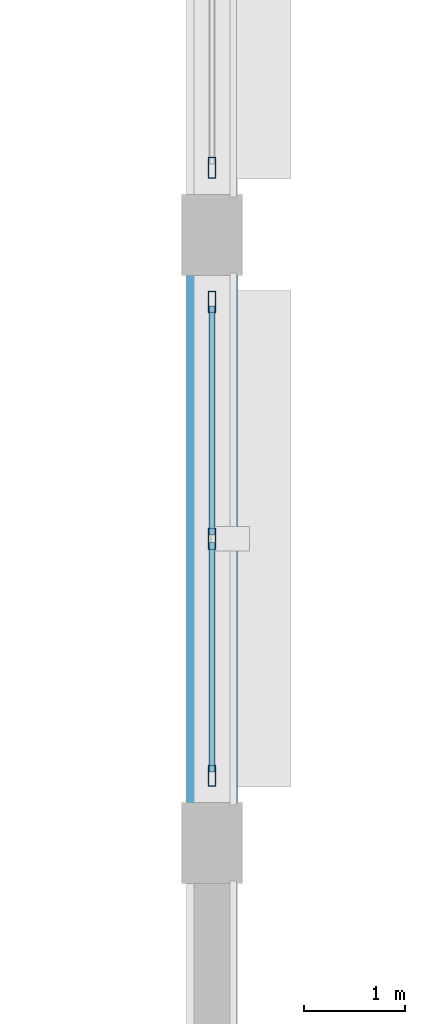
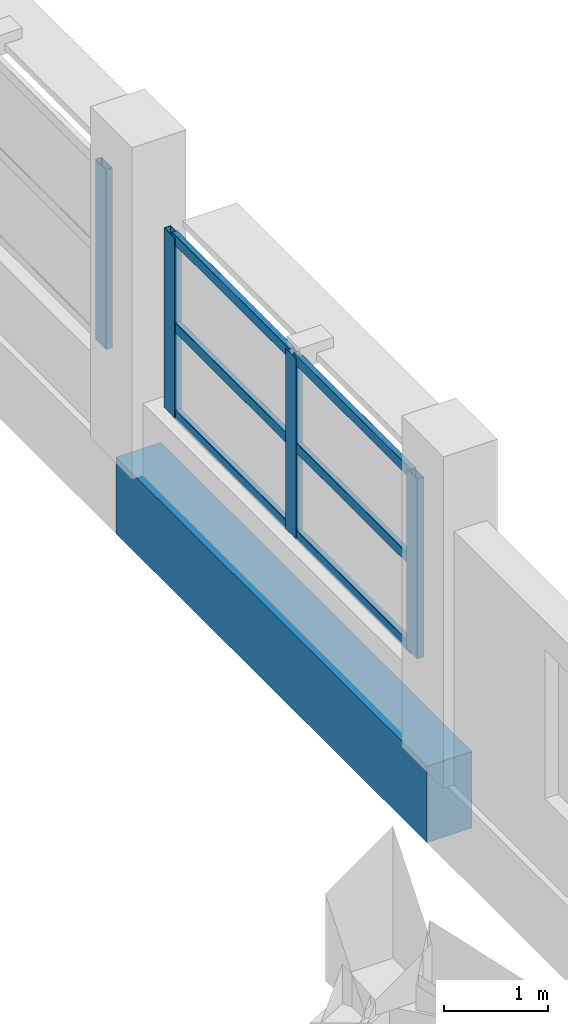
# One storey, part 7 of 121: 10 members, 1 beam, 2 elements without a shape of their own.
"""IFC4 building model written with IfcOpenShell, lengths in metres."""

from ifc_helpers import new_model, si_unit, direction, frame, origin, origin_2d, place, context, subcontext, project, spatial, rectangle, hollow_rectangle, extrude, material, layer, layer_set, material_profile, profile_set, type_object, element, aggregate, save


model = new_model("IFC4")

# Units and contexts
model_context = context("Model", 3, precision=1e-05, world=origin(), true_north=direction((0.0, 1.0)))
body_context = subcontext(model_context, "Body", "Model", "MODEL_VIEW")
ifc_project = project(units=[si_unit("LENGTHUNIT", "METRE"), si_unit("AREAUNIT", "SQUARE_METRE"), si_unit("VOLUMEUNIT", "CUBIC_METRE"), si_unit("PLANEANGLEUNIT", "RADIAN"), si_unit("MASSUNIT", "GRAM", prefix="KILO")], contexts=[model_context])

# Site, building, storey
site_placement = place(None, origin())
site = spatial("IfcSite", under=ifc_project, at=site_placement, CompositionType="ELEMENT")
building_placement = place(site_placement, origin())
building = spatial("IfcBuilding", under=site, at=building_placement, Name="Vespera Passage Community Centre", CompositionType="ELEMENT")
storey_placement = place(building_placement, frame((0.0, 0.0, 8.699951171875)))
storey = spatial("IfcBuildingStorey", under=building, at=storey_placement, Name="L02", CompositionType="ELEMENT", Elevation=8.699951171875)

# Beam
ifc_material_1 = material(Name="Concrete f'c 45 MPa", Category="concrete")
ifc_material_profile_1 = material_profile(ifc_material_1, rectangle(XDim=0.5, YDim=0.89990234375, at=origin_2d()), Name="RC500X900")
ifc_profile_set_1 = profile_set([ifc_material_profile_1], Name="Concrete f'c 45 MPa")
beam_type = type_object("IfcBeamType", Name="BM-SP-500X900E", PredefinedType="SPANDREL", material=ifc_profile_set_1)
beam_placement = place(storey_placement, frame((31.949951171875, 13.0, -0.449951171875), z_axis=(0.0, 1.0, 0.0), x_axis=(-1.0, 0.0, 0.0)))
element("IfcBeam", 1, at=beam_placement, inside=storey, type_object=beam_type, Name="V1 L02 Spandrel E2", PredefinedType="SPANDREL", context=body_context, shape_type="SweptSolid", body=[
    extrude(rectangle(XDim=0.5, YDim=0.89990234375, at=origin_2d()), origin(), (0.0, 0.0, 1.0), 6.0),
])

# Curtain wall, members
ifc_material_2 = material(Name="Anodized aluminium 6063-T6", Category="aluminium")
ifc_layer = layer(ifc_material_2, 0.159912109375)
ifc_layer_set = layer_set([ifc_layer], Name="Anodized aluminium 6063-T6")
curtain_wall_type = type_object("IfcCurtainWallType", Name="CW-86E", PredefinedType="NOTDEFINED", material=ifc_layer_set)
curtain_wall_1_placement = place(storey_placement, origin())
curtain_wall_1 = element("IfcCurtainWall", 2, at=curtain_wall_1_placement, inside=storey, type_object=curtain_wall_type, Name="Main Hall Acoustic Curtain Wall L02 E2", PredefinedType="NOTDEFINED")
ifc_material_3 = material(Name="Anodized aluminium 6063-T6", Category="aluminium")
ifc_material_profile_2 = material_profile(ifc_material_3, hollow_rectangle(XDim=0.074951171875, YDim=0.2099609375, WallThickness=0.0048828125, InnerFilletRadius=0.00244140625, OuterFilletRadius=0.0048828125, at=origin_2d()), Name="ALU210X75X5")
ifc_profile_set_2 = profile_set([ifc_material_profile_2], Name="Anodized aluminium 6063-T6")
member_type_1 = type_object("IfcMemberType", Name="MB-CWM-210E", PredefinedType="MULLION", material=ifc_profile_set_2)
member_1_placement = place(storey_placement, frame((31.949951171875, 18.33740234375, 0.85009765625), z_axis=(0.0, 0.0, 1.0), x_axis=(1.0, 0.0, 0.0)))
member_1 = element("IfcMember", 3, at=member_1_placement, type_object=member_type_1, Name="CW-86E mullion 1", PredefinedType="MULLION", context=body_context, shape_type="SweptSolid", body=[
    extrude(hollow_rectangle(XDim=0.074951171875, YDim=0.2099609375, WallThickness=0.0048828125, InnerFilletRadius=0.00244140625, OuterFilletRadius=0.0048828125, at=origin_2d()), origin(), (0.0, 0.0, 1.0), 2.114990234375),
])
member_2_placement = place(storey_placement, frame((31.949951171875, 16.0, 0.85009765625), z_axis=(0.0, 0.0, 1.0), x_axis=(1.0, 0.0, 0.0)))
member_2 = element("IfcMember", 4, at=member_2_placement, type_object=member_type_1, Name="CW-86E mullion 2", PredefinedType="MULLION", context=body_context, shape_type="SweptSolid", body=[
    extrude(hollow_rectangle(XDim=0.074951171875, YDim=0.2099609375, WallThickness=0.0048828125, InnerFilletRadius=0.00244140625, OuterFilletRadius=0.0048828125, at=origin_2d()), origin(), (0.0, 0.0, 1.0), 2.114990234375),
])
member_3_placement = place(storey_placement, frame((31.949951171875, 13.66259765625, 0.85009765625), z_axis=(0.0, 0.0, 1.0), x_axis=(1.0, 0.0, 0.0)))
member_3 = element("IfcMember", 5, at=member_3_placement, type_object=member_type_1, Name="CW-86E mullion 3", PredefinedType="MULLION", context=body_context, shape_type="SweptSolid", body=[
    extrude(hollow_rectangle(XDim=0.074951171875, YDim=0.2099609375, WallThickness=0.0048828125, InnerFilletRadius=0.00244140625, OuterFilletRadius=0.0048828125, at=origin_2d()), origin(), (0.0, 0.0, 1.0), 2.114990234375),
])

# Curtain wall, member
curtain_wall_2_placement = place(storey_placement, origin())
curtain_wall_2 = element("IfcCurtainWall", 6, at=curtain_wall_2_placement, inside=storey, type_object=curtain_wall_type, Name="Main Hall Acoustic Curtain Wall L02 E3", PredefinedType="NOTDEFINED")
member_4_placement = place(storey_placement, frame((31.949951171875, 19.66259765625, 0.85009765625), z_axis=(0.0, 0.0, 1.0), x_axis=(1.0, 0.0, 0.0)))
member_4 = element("IfcMember", 7, at=member_4_placement, type_object=member_type_1, Name="CW-86E mullion 3", PredefinedType="MULLION", context=body_context, shape_type="SweptSolid", body=[
    extrude(hollow_rectangle(XDim=0.074951171875, YDim=0.2099609375, WallThickness=0.0048828125, InnerFilletRadius=0.00244140625, OuterFilletRadius=0.0048828125, at=origin_2d()), origin(), (0.0, 0.0, 1.0), 2.114990234375),
])
aggregate(curtain_wall_2, [member_4])

# Member
ifc_material_4 = material(Name="Anodized aluminium 6063-T6", Category="aluminium")
ifc_material_profile_3 = material_profile(ifc_material_4, hollow_rectangle(XDim=0.06005859375, YDim=0.1201171875, WallThickness=0.00390625, InnerFilletRadius=0.001953125, OuterFilletRadius=0.00390625, at=origin_2d()), Name="ALU120X60X4")
ifc_profile_set_3 = profile_set([ifc_material_profile_3], Name="Anodized aluminium 6063-T6")
member_type_2 = type_object("IfcMemberType", Name="MB-CWT-120E", PredefinedType="USERDEFINED", material=ifc_profile_set_3)
member_5_placement = place(storey_placement, frame((31.949951171875, 18.300048828125, 0.880126953125), z_axis=(0.0, -1.0, 0.0), x_axis=(1.0, 0.0, 0.0)))
member_5 = element("IfcMember", 8, at=member_5_placement, type_object=member_type_2, Name="CW-86E transom 1.1", ObjectType="TRANSOM", PredefinedType="USERDEFINED", context=body_context, shape_type="SweptSolid", body=[
    extrude(hollow_rectangle(XDim=0.06005859375, YDim=0.1201171875, WallThickness=0.00390625, InnerFilletRadius=0.001953125, OuterFilletRadius=0.00390625, at=origin_2d()), origin(), (0.0, 0.0, 1.0), 2.262451171875),
])

member_6_placement = place(storey_placement, frame((31.949951171875, 18.300048828125, 1.907470703125), z_axis=(0.0, -1.0, 0.0), x_axis=(1.0, 0.0, 0.0)))
member_6 = element("IfcMember", 9, at=member_6_placement, type_object=member_type_2, Name="CW-86E transom 1.2", ObjectType="TRANSOM", PredefinedType="USERDEFINED", context=body_context, shape_type="SweptSolid", body=[
    extrude(hollow_rectangle(XDim=0.06005859375, YDim=0.1201171875, WallThickness=0.00390625, InnerFilletRadius=0.001953125, OuterFilletRadius=0.00390625, at=origin_2d()), origin(), (0.0, 0.0, 1.0), 2.262451171875),
])

member_7_placement = place(storey_placement, frame((31.949951171875, 18.300048828125, 2.93505859375), z_axis=(0.0, -1.0, 0.0), x_axis=(1.0, 0.0, 0.0)))
member_7 = element("IfcMember", 10, at=member_7_placement, type_object=member_type_2, Name="CW-86E transom 1.3", ObjectType="TRANSOM", PredefinedType="USERDEFINED", context=body_context, shape_type="SweptSolid", body=[
    extrude(hollow_rectangle(XDim=0.06005859375, YDim=0.1201171875, WallThickness=0.00390625, InnerFilletRadius=0.001953125, OuterFilletRadius=0.00390625, at=origin_2d()), origin(), (0.0, 0.0, 1.0), 2.262451171875),
])

member_8_placement = place(storey_placement, frame((31.949951171875, 15.96240234375, 0.880126953125), z_axis=(0.0, -1.0, 0.0), x_axis=(1.0, 0.0, 0.0)))
member_8 = element("IfcMember", 11, at=member_8_placement, type_object=member_type_2, Name="CW-86E transom 2.1", ObjectType="TRANSOM", PredefinedType="USERDEFINED", context=body_context, shape_type="SweptSolid", body=[
    extrude(hollow_rectangle(XDim=0.06005859375, YDim=0.1201171875, WallThickness=0.00390625, InnerFilletRadius=0.001953125, OuterFilletRadius=0.00390625, at=origin_2d()), origin(), (0.0, 0.0, 1.0), 2.262451171875),
])

member_9_placement = place(storey_placement, frame((31.949951171875, 15.96240234375, 1.907470703125), z_axis=(0.0, -1.0, 0.0), x_axis=(1.0, 0.0, 0.0)))
member_9 = element("IfcMember", 12, at=member_9_placement, type_object=member_type_2, Name="CW-86E transom 2.2", ObjectType="TRANSOM", PredefinedType="USERDEFINED", context=body_context, shape_type="SweptSolid", body=[
    extrude(hollow_rectangle(XDim=0.06005859375, YDim=0.1201171875, WallThickness=0.00390625, InnerFilletRadius=0.001953125, OuterFilletRadius=0.00390625, at=origin_2d()), origin(), (0.0, 0.0, 1.0), 2.262451171875),
])

member_10_placement = place(storey_placement, frame((31.949951171875, 15.96240234375, 2.93505859375), z_axis=(0.0, -1.0, 0.0), x_axis=(1.0, 0.0, 0.0)))
member_10 = element("IfcMember", 13, at=member_10_placement, type_object=member_type_2, Name="CW-86E transom 2.3", ObjectType="TRANSOM", PredefinedType="USERDEFINED", context=body_context, shape_type="SweptSolid", body=[
    extrude(hollow_rectangle(XDim=0.06005859375, YDim=0.1201171875, WallThickness=0.00390625, InnerFilletRadius=0.001953125, OuterFilletRadius=0.00390625, at=origin_2d()), origin(), (0.0, 0.0, 1.0), 2.262451171875),
])

aggregate(curtain_wall_1, [member_1, member_2, member_3, member_5, member_6, member_7, member_8, member_9, member_10])

save(model, "model.ifc")
